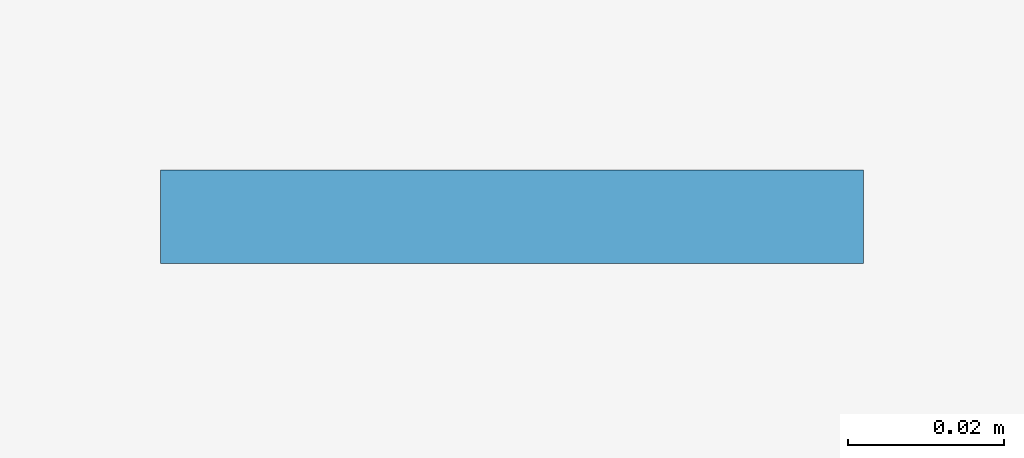
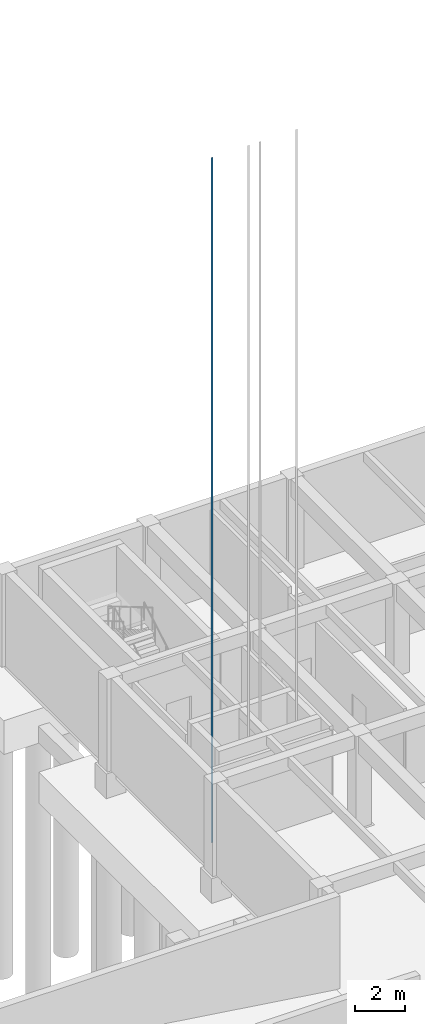
# One storey, part 8 of 44: 1 plate.
"""IFC4 building model written with IfcOpenShell, lengths in metres."""

from ifc_helpers import new_model, si_unit, direction, frame, origin, origin_2d, place, context, subcontext, project, spatial, rectangle, extrude, material, layer, layer_set, type_object, element, save


model = new_model("IFC4")

# Units and contexts
model_context = context("Model", 3, precision=1e-05, world=origin(), true_north=direction((0.0, 1.0)))
body_context = subcontext(model_context, "Body", "Model", "MODEL_VIEW")
ifc_project = project(units=[si_unit("LENGTHUNIT", "METRE"), si_unit("AREAUNIT", "SQUARE_METRE"), si_unit("VOLUMEUNIT", "CUBIC_METRE"), si_unit("PLANEANGLEUNIT", "RADIAN"), si_unit("MASSUNIT", "GRAM", prefix="KILO")], contexts=[model_context])

# Site, building, storey
site_placement = place(None, origin())
site = spatial("IfcSite", under=ifc_project, at=site_placement, CompositionType="ELEMENT")
building_placement = place(site_placement, origin())
building = spatial("IfcBuilding", under=site, at=building_placement, Name="Kolvaren Faculty of Natural Sciences", CompositionType="ELEMENT")
storey_placement = place(building_placement, frame((0.0, 0.0, -4.5)))
storey = spatial("IfcBuildingStorey", under=building, at=storey_placement, Name="B01", CompositionType="ELEMENT", Elevation=-4.5)

# Plate
ifc_material = material(Name="Structural steel EN 10025-2 S355J2", Category="steel")
ifc_layer = layer(ifc_material, 0.011962890625)
ifc_layer_set = layer_set([ifc_layer], Name="Structural steel EN 10025-2 S355J2")
plate_type = type_object("IfcPlateType", Name="LiftGuideRail_T89", PredefinedType="USERDEFINED", material=ifc_layer_set)
plate_placement = place(storey_placement, frame((34.610107421875, 28.14990234375, -0.81982421875), z_axis=(0.0, 0.0, 1.0), x_axis=(1.0, 0.0, 0.0)))
element("IfcPlate", 1, at=plate_placement, inside=storey, type_object=plate_type, Name="Lift PL-2 steel guide rail 1", ObjectType="GUIDE RAIL", PredefinedType="USERDEFINED", context=body_context, shape_type="SweptSolid", body=[
    extrude(rectangle(XDim=0.090087890625, YDim=0.011962890625, at=origin_2d()), origin(), (0.0, 0.0, 1.0), 33.320068359375),
])

save(model, "model.ifc")
